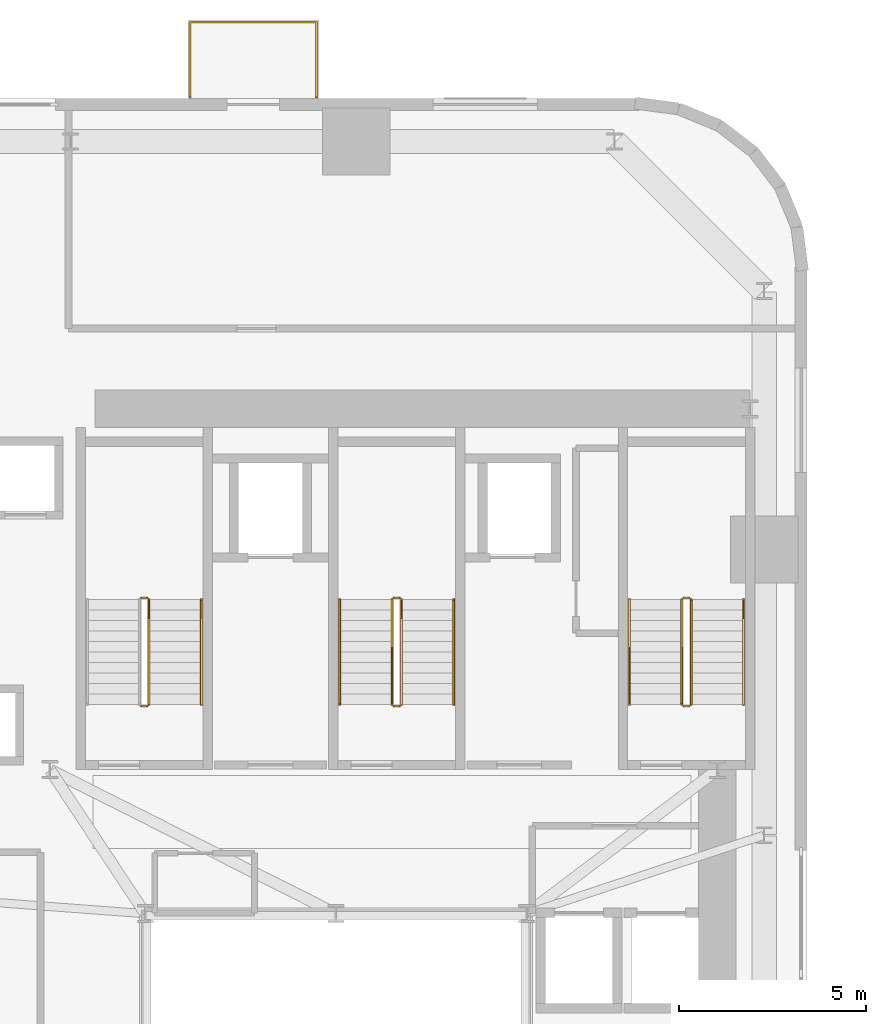
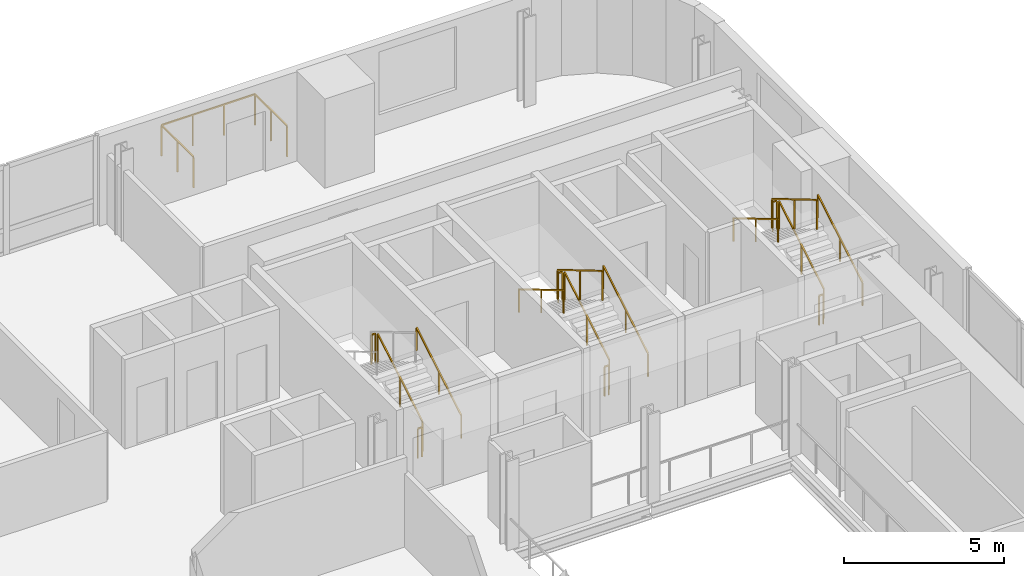
# One storey, part 11 of 11: 17 railings.
"""IFC4 building model written with IfcOpenShell, lengths in metres."""

import ifcopenshell
import ifcopenshell.guid

model = None  # the IFC model being written
_history = None  # IfcOwnerHistory: only IFC2X3 demands one
_inside = {}  # id of a spatial element -> (the spatial element, [elements in it])
_under = {}  # id of a project, library or spatial element -> (it, [spatial elements below it])
_declared = {}  # id of a project -> (the project, [libraries it declares])
_typed = {}  # id of a type object -> (the type object, [elements of that type])
_made_of = {}  # id of a material, layer set ... -> (it, [elements and type objects made of it])


def new_model(schema):
    """Start an empty IFC model of exactly this schema.

    Asked for "IFC4X3", IfcOpenShell would pick the latest addendum, in which some entities
    have other attributes; the version numbers below select the first issue.
    IFC2X3 requires an IfcOwnerHistory on every rooted entity: one is made here for all.
    """
    global model, _history
    if schema == "IFC4X3":
        model = ifcopenshell.file(schema_version=(4, 3, 0, 0))
    else:
        model = ifcopenshell.file(schema=schema)
    _inside.clear()
    _under.clear()
    _declared.clear()
    _typed.clear()
    _made_of.clear()
    _history = None
    if model.schema == "IFC2X3":
        org = make("IfcOrganization", Name="unknown")
        user = make(
            "IfcPersonAndOrganization",
            ThePerson=make("IfcPerson", FamilyName="unknown"),
            TheOrganization=org,
        )
        app = make(
            "IfcApplication",
            ApplicationDeveloper=org,
            Version="unknown",
            ApplicationFullName="unknown",
            ApplicationIdentifier="unknown",
        )
        _history = make(
            "IfcOwnerHistory",
            OwningUser=user,
            OwningApplication=app,
            ChangeAction="ADDED",
            CreationDate=0,
        )
    return model


def make(cls, **values):
    """One entity of the class cls with the attributes given. An attribute that is None is left unset."""
    return model.create_entity(
        cls, **{name: value for name, value in values.items() if value is not None}
    )


def rooted(cls, **values):
    """An entity with a GlobalId (a new one), such as an element, a storey or a relation."""
    return make(cls, GlobalId=ifcopenshell.guid.new(), OwnerHistory=_history, **values)


def si_unit(unit_type, name, prefix=None):
    """IfcSIUnit, for example si_unit("LENGTHUNIT", "METRE", prefix="MILLI")."""
    return make("IfcSIUnit", UnitType=unit_type, Prefix=prefix, Name=name)


def assignment(units):
    """IfcUnitAssignment: the units of a project."""
    return None if units is None else make("IfcUnitAssignment", Units=units)


def point(xyz):
    """IfcCartesianPoint."""
    return None if xyz is None else make("IfcCartesianPoint", Coordinates=xyz)


def direction(xyz):
    """IfcDirection."""
    return None if xyz is None else make("IfcDirection", DirectionRatios=xyz)


def frame(location, z_axis=None, x_axis=None):
    """IfcAxis2Placement3D, a coordinate frame: its origin and axes. An axis left out is left unset."""
    return make(
        "IfcAxis2Placement3D",
        Location=point(location),
        Axis=direction(z_axis),
        RefDirection=direction(x_axis),
    )


def frame_2d(location, x_axis=None):
    """IfcAxis2Placement2D, a coordinate frame in the plane: its origin and x axis."""
    return make(
        "IfcAxis2Placement2D", Location=point(location), RefDirection=direction(x_axis)
    )


def origin():
    """The frame at (0, 0, 0) with its axes left unset."""
    return frame((0.0, 0.0, 0.0))


def origin_2d():
    """The frame at (0, 0) in the plane with its x axis left unset."""
    return frame_2d((0.0, 0.0))


def place(relative_to, where):
    """IfcLocalPlacement: puts the frame where relative to a parent placement (None: the world)."""
    return make(
        "IfcLocalPlacement", PlacementRelTo=relative_to, RelativePlacement=where
    )


def context(
    kind, dimensions, precision=None, world=None, true_north=None, identifier=None
):
    """IfcGeometricRepresentationContext, for example the 3D "Model" context."""
    return make(
        "IfcGeometricRepresentationContext",
        ContextIdentifier=identifier,
        ContextType=kind,
        CoordinateSpaceDimension=dimensions,
        Precision=precision,
        WorldCoordinateSystem=world,
        TrueNorth=true_north,
    )


def subcontext(parent, identifier, kind, view, scale=None):
    """IfcGeometricRepresentationSubContext, for example "Body" below "Model"."""
    return make(
        "IfcGeometricRepresentationSubContext",
        ContextIdentifier=identifier,
        ContextType=kind,
        ParentContext=parent,
        TargetScale=scale,
        TargetView=view,
    )


def project(units=None, contexts=None):
    """IfcProject with its units and contexts."""
    return rooted(
        "IfcProject",
        Name="project",
        RepresentationContexts=contexts,
        UnitsInContext=assignment(units),
    )


def spatial(cls, under=None, at=None, **own):
    """A site, building, storey or space (cls), placed at a placement, below another one or the project."""
    s = rooted(cls, ObjectPlacement=at, **own)
    if under is not None:
        _under.setdefault(under.id(), (under, []))[1].append(s)
    return s


def profile(cls, at=None, kind="AREA", **sizes):
    """A parametric profile (cls). Its sizes go by their IFC names, for example OverallWidth=200.0."""
    return make(cls, ProfileType=kind, Position=at, **sizes)


def rectangle(**sizes):
    """IfcRectangleProfileDef."""
    return profile("IfcRectangleProfileDef", **sizes)


def extrude(swept, where, along, depth):
    """IfcExtrudedAreaSolid: the profile swept, set in the frame where, extruded along a direction by depth."""
    return make(
        "IfcExtrudedAreaSolid",
        SweptArea=swept,
        Position=where,
        ExtrudedDirection=direction(along),
        Depth=depth,
    )


def shape(context_of_items, identifier, shape_type, items):
    """IfcShapeRepresentation: the items that make up one representation, for example the "Body"."""
    return make(
        "IfcShapeRepresentation",
        ContextOfItems=context_of_items,
        RepresentationIdentifier=identifier,
        RepresentationType=shape_type,
        Items=items,
    )


def source(mapping_origin, context_of_items, identifier, shape_type, items):
    """IfcRepresentationMap: a shape defined once, which mapped items show again and again."""
    return make(
        "IfcRepresentationMap",
        MappingOrigin=mapping_origin,
        MappedRepresentation=shape(context_of_items, identifier, shape_type, items),
    )


def transform(
    local_origin,
    x_axis=None,
    y_axis=None,
    z_axis=None,
    scale=None,
    scale2=None,
    scale3=None,
    uniform=True,
):
    """IfcCartesianTransformationOperator3D, or its non-uniform kind. x_axis, y_axis, z_axis: its Axis1, 2, 3."""
    if uniform:
        return make(
            "IfcCartesianTransformationOperator3D",
            Axis1=direction(x_axis),
            Axis2=direction(y_axis),
            LocalOrigin=point(local_origin),
            Scale=scale,
            Axis3=direction(z_axis),
        )
    return make(
        "IfcCartesianTransformationOperator3DnonUniform",
        Axis1=direction(x_axis),
        Axis2=direction(y_axis),
        LocalOrigin=point(local_origin),
        Scale=scale,
        Axis3=direction(z_axis),
        Scale2=scale2,
        Scale3=scale3,
    )


def mapped(mapping_source, mapping_target):
    """IfcMappedItem: shows the shape of a source again, moved by a transform."""
    return make(
        "IfcMappedItem", MappingSource=mapping_source, MappingTarget=mapping_target
    )


def material(Name=None, Category=None):
    """IfcMaterial."""
    return make("IfcMaterial", Name=Name, Category=Category)


def made_of(thing, what):
    """Note that an element or type object is made of a material, layer set ...; save() writes the relation."""
    if what is not None:
        _made_of.setdefault(what.id(), (what, []))[1].append(thing)
    return thing


def type_object(cls, material=None, **own):
    """A type object (cls), such as IfcWallType, which elements share."""
    return made_of(rooted(cls, **own), material)


def element(
    cls,
    number,
    at=None,
    inside=None,
    cuts=None,
    type_object=None,
    material=None,
    context=None,
    identifier="Body",
    shape_type=None,
    held_by="IfcProductDefinitionShape",
    body=None,
    shapes=None,
    **own,
):
    """One element of the class cls, such as IfcWall. Its Tag is "e" and its number.

    at: its placement. inside: the storey or other place that contains it. cuts: it is an
    opening in that element (IfcRelVoidsElement). A single representation is given by context,
    identifier, shape_type and body (its items); several are given by shapes. held_by: the class
    of the entity that holds the representations. save() writes the other relations.
    """
    e = rooted(cls, Tag="e%d" % number, ObjectPlacement=at, **own)
    if body is not None:
        shapes = [shape(context, identifier, shape_type, body)]
    if shapes is not None:
        e.Representation = make(held_by, Representations=shapes)
    if inside is not None:
        _inside.setdefault(inside.id(), (inside, []))[1].append(e)
    if cuts is not None:
        rooted(
            "IfcRelVoidsElement", RelatingBuildingElement=cuts, RelatedOpeningElement=e
        )
    if type_object is not None:
        _typed.setdefault(type_object.id(), (type_object, []))[1].append(e)
    return made_of(e, material)


def aggregate(whole, parts):
    """IfcRelAggregates: a whole, such as a stair, and the parts it consists of."""
    return rooted("IfcRelAggregates", RelatingObject=whole, RelatedObjects=parts)


def save(model, path):
    """Write the relations noted so far, then the file.

    IfcRelAggregates (storeys below a building ...), IfcRelContainedInSpatialStructure (elements
    in a storey), IfcRelDefinesByType, IfcRelAssociatesMaterial and IfcRelDeclares: one each for
    every whole, place, type object, material and project.
    """
    for whole, parts in _under.values():
        aggregate(whole, parts)
    for where, things in _inside.values():
        rooted(
            "IfcRelContainedInSpatialStructure",
            RelatedElements=things,
            RelatingStructure=where,
        )
    for kind, things in _typed.values():
        rooted("IfcRelDefinesByType", RelatedObjects=things, RelatingType=kind)
    for what, things in _made_of.values():
        rooted("IfcRelAssociatesMaterial", RelatedObjects=things, RelatingMaterial=what)
    for by, libraries in _declared.values():
        rooted("IfcRelDeclares", RelatingContext=by, RelatedDefinitions=libraries)
    model.write(path)


model = new_model("IFC4")

# Units and contexts
model_context = context("Model", 3, precision=1e-05, world=origin(), true_north=direction((0.0, 1.0)))
body_context = subcontext(model_context, "Body", "Model", "MODEL_VIEW")
ifc_project = project(units=[si_unit("LENGTHUNIT", "METRE"), si_unit("AREAUNIT", "SQUARE_METRE"), si_unit("VOLUMEUNIT", "CUBIC_METRE"), si_unit("PLANEANGLEUNIT", "RADIAN"), si_unit("MASSUNIT", "GRAM", prefix="KILO")], contexts=[model_context])

# Site, building, storey
site_placement = place(None, origin())
site = spatial("IfcSite", under=ifc_project, at=site_placement, CompositionType="ELEMENT")
building_placement = place(site_placement, origin())
building = spatial("IfcBuilding", under=site, at=building_placement, Name="Vardaveli Station Tower", CompositionType="ELEMENT")
storey_placement = place(building_placement, frame((0.0, 0.0, 42.199951171875)))
storey = spatial("IfcBuildingStorey", under=building, at=storey_placement, Name="L10", CompositionType="ELEMENT", Elevation=42.199951171875)

# Railings
ifc_material_1 = material(Name="Laminated glass and stainless steel balustrade", Category="steel")
railing_type_1 = type_object("IfcRailingType", Name="RL-BAL-1200", PredefinedType="BALUSTRADE", material=ifc_material_1)
shared_shape_1 = source(origin(), body_context, "Body", "SweptSolid", [
    extrude(rectangle(XDim=0.048095703125, YDim=0.048095703125, at=origin_2d()), frame((0.0, 0.0, 1.17578125), z_axis=(0.0, 1.0, 0.0), x_axis=(-1.0, 0.0, 0.0)), (0.0, 0.0, 1.0), 2.0),
    extrude(rectangle(XDim=0.048095703125, YDim=0.048095703125, at=origin_2d()), frame((0.0, 2.0, 1.17578125), z_axis=(1.0, 0.0, 0.0), x_axis=(0.0, 1.0, 0.0)), (0.0, 0.0, 1.0), 3.3798828125),
    extrude(rectangle(XDim=0.048095703125, YDim=0.048095703125, at=origin_2d()), frame((3.3798828125, 2.0, 1.17578125), z_axis=(0.0, -1.0, 0.0), x_axis=(1.0, 0.0, 0.0)), (0.0, 0.0, 1.0), 2.0),
    extrude(rectangle(XDim=0.0419921875, YDim=0.0419921875, at=origin_2d()), origin(), (0.0, 0.0, 1.0), 1.15185546875),
    extrude(rectangle(XDim=0.0419921875, YDim=0.0419921875, at=origin_2d()), frame((0.0, 1.0, 0.0)), (0.0, 0.0, 1.0), 1.15185546875),
    extrude(rectangle(XDim=0.0419921875, YDim=0.0419921875, at=origin_2d()), frame((0.0, 2.0, 0.0)), (0.0, 0.0, 1.0), 1.15185546875),
    extrude(rectangle(XDim=0.0419921875, YDim=0.0419921875, at=origin_2d()), frame((1.126708984375, 2.0, 0.0)), (0.0, 0.0, 1.0), 1.15185546875),
    extrude(rectangle(XDim=0.0419921875, YDim=0.0419921875, at=origin_2d()), frame((2.253173828125, 2.0, 0.0)), (0.0, 0.0, 1.0), 1.15185546875),
    extrude(rectangle(XDim=0.0419921875, YDim=0.0419921875, at=origin_2d()), frame((3.3798828125, 2.0, 0.0)), (0.0, 0.0, 1.0), 1.15185546875),
    extrude(rectangle(XDim=0.0419921875, YDim=0.0419921875, at=origin_2d()), frame((3.3798828125, 1.0, 0.0)), (0.0, 0.0, 1.0), 1.15185546875),
    extrude(rectangle(XDim=0.0419921875, YDim=0.0419921875, at=origin_2d()), frame((3.3798828125, 0.0, 0.0)), (0.0, 0.0, 1.0), 1.15185546875),
])
railing_placement = place(storey_placement, frame((32.399658203125, 48.639892578125, 0.0)))
element("IfcRailing", 1, at=railing_placement, inside=storey, type_object=railing_type_1, Name="RL-LOG-L10-02", PredefinedType="BALUSTRADE", context=body_context, shape_type="MappedRepresentation", body=[
    mapped(shared_shape_1, transform((0.0, 0.0, 0.0), scale=1.0)),
])
ifc_material_2 = material(Name="Brushed AISI 316 stainless steel", Category="steel")
railing_type_2 = type_object("IfcRailingType", Name="RL-GUARD-1150", PredefinedType="GUARDRAIL", material=ifc_material_2)
shared_shape_2 = source(origin(), body_context, "Body", "SweptSolid", [
    extrude(rectangle(XDim=0.048095703125, YDim=0.048095703125, at=origin_2d()), frame((0.0, 0.0, 1.1259765625), z_axis=(-1.0, 0.0, 0.0), x_axis=(0.0, -1.0, 0.0)), (0.0, 0.0, 1.0), 0.14990234375),
    extrude(rectangle(XDim=0.0419921875, YDim=0.0419921875, at=origin_2d()), origin(), (0.0, 0.0, 1.0), 1.101806640625),
    extrude(rectangle(XDim=0.0419921875, YDim=0.0419921875, at=origin_2d()), frame((-0.14990234375, 0.0, 0.0)), (0.0, 0.0, 1.0), 1.101806640625),
])
for number, where, name in (
    (2, (31.25, 35.25, 1.824951171875), "L10 ST-1 stair guard 2"),
    (3, (31.25, 32.35009765625, 0.0), "L10 ST-1 stair guard 4"),
    (4, (38.0, 35.25, 1.824951171875), "L10 ST-2 stair guard 2"),
    (5, (38.0, 32.35009765625, 0.0), "L10 ST-2 stair guard 4"),
    (6, (45.75, 35.25, 1.824951171875), "L10 ST-3 stair guard 2"),
    (7, (45.75, 32.35009765625, 0.0), "L10 ST-3 stair guard 4"),
):
    element("IfcRailing", number, at=place(storey_placement, frame(where)), inside=storey, type_object=railing_type_2, Name=name, PredefinedType="GUARDRAIL", context=body_context, shape_type="MappedRepresentation", body=[
        mapped(shared_shape_2, transform((0.0, 0.0, 0.0), scale=1.0)),
    ])
shared_shape_3 = source(origin(), body_context, "Body", "SweptSolid", [
    extrude(rectangle(XDim=0.048095703125, YDim=0.048095703125, at=origin_2d()), frame((0.0, 0.0, 1.1259765625), z_axis=(0.0, -0.860306154799, 0.50977771628), x_axis=(1.0, 0.0, 0.0)), (0.0, 0.0, 1.0), 3.254638671875),
    extrude(rectangle(XDim=0.0419921875, YDim=0.0419921875, at=origin_2d()), origin(), (0.0, 0.0, 1.0), 1.101806640625),
    extrude(rectangle(XDim=0.0419921875, YDim=0.0419921875, at=origin_2d()), frame((0.0, -1.39990234375, 0.82958984375)), (0.0, 0.0, 1.0), 1.101806640625),
    extrude(rectangle(XDim=0.0419921875, YDim=0.0419921875, at=origin_2d()), frame((0.0, -2.800048828125, 1.6591796875)), (0.0, 0.0, 1.0), 1.101806640625),
])
for number, where, name in (
    (8, (37.800048828125, 35.199951171875, 1.990966796875), "L10 ST-2 stair guard 3"),
    (9, (45.550048828125, 35.199951171875, 1.990966796875), "L10 ST-3 stair guard 3"),
):
    element("IfcRailing", number, at=place(storey_placement, frame(where)), inside=storey, type_object=railing_type_2, Name=name, PredefinedType="GUARDRAIL", context=body_context, shape_type="MappedRepresentation", body=[
        mapped(shared_shape_3, transform((0.0, 0.0, 0.0), scale=1.0)),
    ])
railing_type_3 = type_object("IfcRailingType", Name="RL-HAND-900", PredefinedType="HANDRAIL", material=ifc_material_2)
shared_shape_4 = source(origin(), body_context, "Body", "SweptSolid", [
    extrude(rectangle(XDim=0.048095703125, YDim=0.048095703125, at=origin_2d()), frame((0.0, 0.0, 0.8759765625), z_axis=(0.0, -0.860306154799, 0.50977771628), x_axis=(1.0, 0.0, 0.0)), (0.0, 0.0, 1.0), 3.254638671875),
    extrude(rectangle(XDim=0.0419921875, YDim=0.0419921875, at=origin_2d()), origin(), (0.0, 0.0, 1.0), 0.851806640625),
    extrude(rectangle(XDim=0.0419921875, YDim=0.0419921875, at=origin_2d()), frame((0.0, -1.39990234375, 0.82958984375)), (0.0, 0.0, 1.0), 0.851806640625),
    extrude(rectangle(XDim=0.0419921875, YDim=0.0419921875, at=origin_2d()), frame((0.0, -2.800048828125, 1.6591796875)), (0.0, 0.0, 1.0), 0.851806640625),
])
for number, where, name in (
    (10, (36.39990234375, 35.199951171875, 1.990966796875), "L10 ST-2 stair handrail 2"),
    (11, (44.14990234375, 35.199951171875, 1.990966796875), "L10 ST-3 stair handrail 2"),
):
    element("IfcRailing", number, at=place(storey_placement, frame(where)), inside=storey, type_object=railing_type_3, Name=name, PredefinedType="HANDRAIL", context=body_context, shape_type="MappedRepresentation", body=[
        mapped(shared_shape_4, transform((0.0, 0.0, 0.0), scale=1.0)),
    ])
shared_shape_5 = source(origin(), body_context, "Body", "SweptSolid", [
    extrude(rectangle(XDim=0.048095703125, YDim=0.048095703125, at=origin_2d()), frame((0.0, 0.0, 1.1259765625), z_axis=(0.0, 0.860339051648, 0.50972219513), x_axis=(-1.0, 0.0, 0.0)), (0.0, 0.0, 1.0), 3.254638671875),
    extrude(rectangle(XDim=0.0419921875, YDim=0.0419921875, at=origin_2d()), origin(), (0.0, 0.0, 1.0), 1.101806640625),
    extrude(rectangle(XDim=0.0419921875, YDim=0.0419921875, at=origin_2d()), frame((0.0, 1.39990234375, 0.82958984375)), (0.0, 0.0, 1.0), 1.101806640625),
    extrude(rectangle(XDim=0.0419921875, YDim=0.0419921875, at=origin_2d()), frame((0.0, 2.800048828125, 1.658935546875)), (0.0, 0.0, 1.0), 1.101806640625),
])
for number, where, name in (
    (12, (31.300048828125, 32.39990234375, 0.166015625), "L10 ST-1 stair guard 1"),
    (13, (38.050048828125, 32.39990234375, 0.166015625), "L10 ST-2 stair guard 1"),
    (14, (45.800048828125, 32.39990234375, 0.166015625), "L10 ST-3 stair guard 1"),
):
    element("IfcRailing", number, at=place(storey_placement, frame(where)), inside=storey, type_object=railing_type_2, Name=name, PredefinedType="GUARDRAIL", context=body_context, shape_type="MappedRepresentation", body=[
        mapped(shared_shape_5, transform((0.0, 0.0, 0.0), scale=1.0)),
    ])
shared_shape_6 = source(origin(), body_context, "Body", "SweptSolid", [
    extrude(rectangle(XDim=0.048095703125, YDim=0.048095703125, at=origin_2d()), frame((0.0, 0.0, 0.8759765625), z_axis=(0.0, 0.860339051648, 0.50972219513), x_axis=(-1.0, 0.0, 0.0)), (0.0, 0.0, 1.0), 3.254638671875),
    extrude(rectangle(XDim=0.0419921875, YDim=0.0419921875, at=origin_2d()), origin(), (0.0, 0.0, 1.0), 0.851806640625),
    extrude(rectangle(XDim=0.0419921875, YDim=0.0419921875, at=origin_2d()), frame((0.0, 1.39990234375, 0.82958984375)), (0.0, 0.0, 1.0), 0.851806640625),
    extrude(rectangle(XDim=0.0419921875, YDim=0.0419921875, at=origin_2d()), frame((0.0, 2.800048828125, 1.658935546875)), (0.0, 0.0, 1.0), 0.851806640625),
])
for number, where, name in (
    (15, (32.699951171875, 32.39990234375, 0.166015625), "L10 ST-1 stair handrail 1"),
    (16, (39.449951171875, 32.39990234375, 0.166015625), "L10 ST-2 stair handrail 1"),
    (17, (47.199951171875, 32.39990234375, 0.166015625), "L10 ST-3 stair handrail 1"),
):
    element("IfcRailing", number, at=place(storey_placement, frame(where)), inside=storey, type_object=railing_type_3, Name=name, PredefinedType="HANDRAIL", context=body_context, shape_type="MappedRepresentation", body=[
        mapped(shared_shape_6, transform((0.0, 0.0, 0.0), scale=1.0)),
    ])

save(model, "model.ifc")
